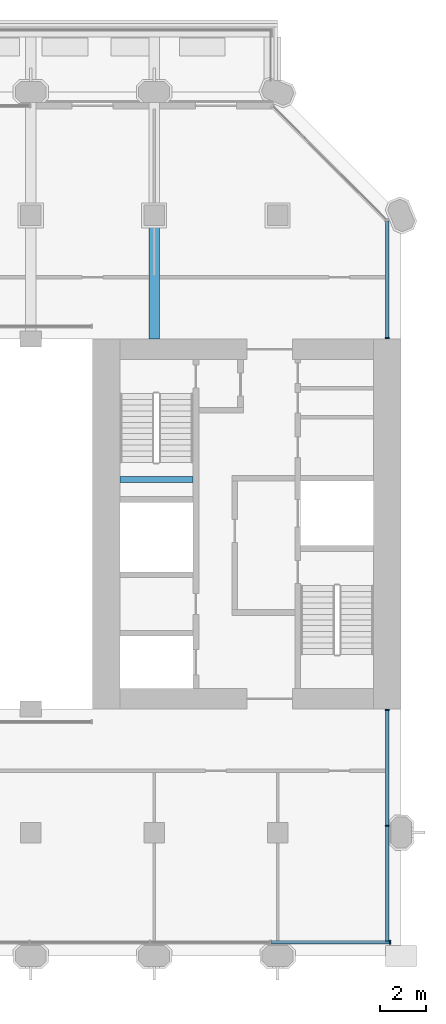
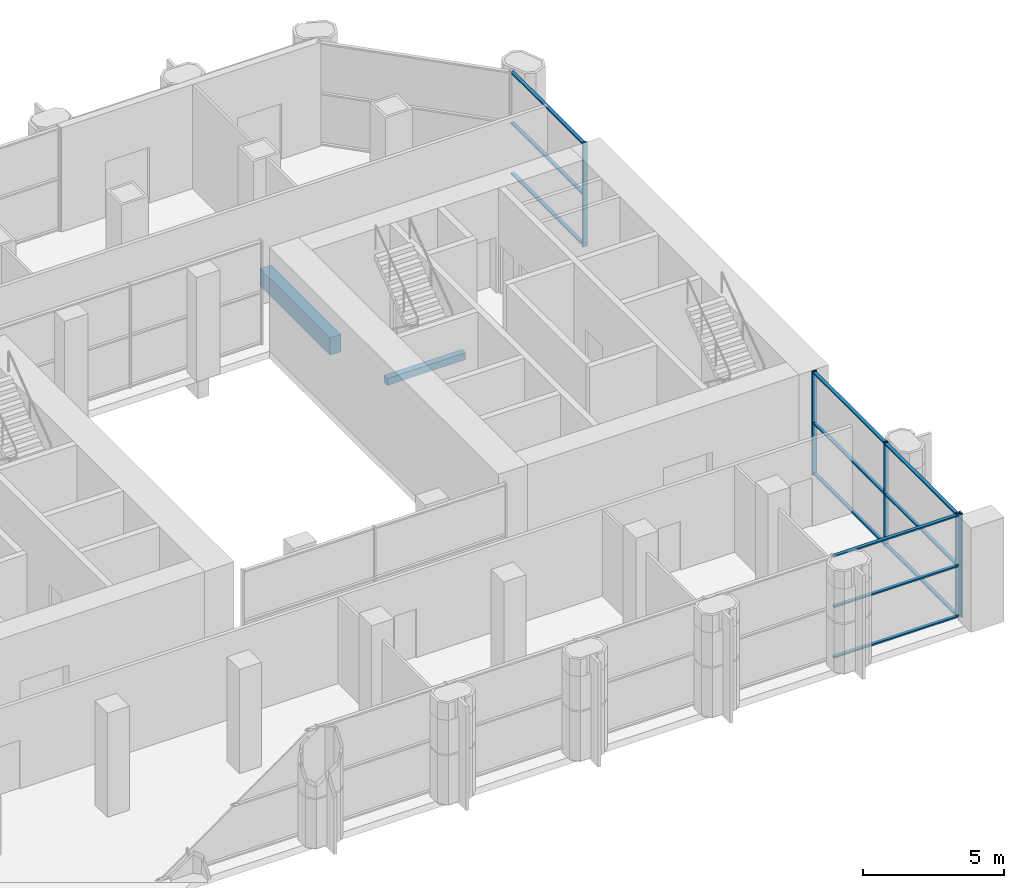
# One storey, part 6 of 15: 17 members, 2 beams, 3 elements without a shape of their own.
"""IFC4 building model written with IfcOpenShell, lengths in metres."""

from ifc_helpers import new_model, si_unit, direction, frame, origin, origin_2d, place, context, subcontext, project, spatial, rectangle, extrude, material, material_profile, profile_set, type_object, element, aggregate, save


model = new_model("IFC4")

# Units and contexts
model_context = context("Model", 3, precision=1e-05, world=origin(), true_north=direction((0.0, 1.0)))
body_context = subcontext(model_context, "Body", "Model", "MODEL_VIEW")
ifc_project = project(units=[si_unit("LENGTHUNIT", "METRE"), si_unit("AREAUNIT", "SQUARE_METRE"), si_unit("VOLUMEUNIT", "CUBIC_METRE"), si_unit("PLANEANGLEUNIT", "RADIAN"), si_unit("MASSUNIT", "GRAM", prefix="KILO")], contexts=[model_context])

# Site, building, storey
site_placement = place(None, origin())
site = spatial("IfcSite", under=ifc_project, at=site_placement, CompositionType="ELEMENT")
building_placement = place(site_placement, origin())
building = spatial("IfcBuilding", under=site, at=building_placement, Name="Tabaq Tower and Sports Hall", CompositionType="ELEMENT")
storey_placement = place(building_placement, frame((0.0, 0.0, 148.0)))
storey = spatial("IfcBuildingStorey", under=building, at=storey_placement, Name="L34", CompositionType="ELEMENT", Elevation=148.0)

# Curtain wall, member
ifc_material_1 = material(Name="Aluminium alloy 6063-T6 framed glazing", Category="aluminium")
curtain_wall_type = type_object("IfcCurtainWallType", Name="CW3 curtain wall", PredefinedType="USERDEFINED", material=ifc_material_1)
curtain_wall_1_placement = place(storey_placement, origin())
curtain_wall_1 = element("IfcCurtainWall", 1, at=curtain_wall_1_placement, inside=storey, type_object=curtain_wall_type, Name="Garden Floor Wall L34 S", ObjectType="GARDEN FLOOR WALL", PredefinedType="USERDEFINED")
ifc_material_2 = material(Name="Aluminium alloy 6063-T6", Category="aluminium")
ifc_material_profile_1 = material_profile(ifc_material_2, rectangle(XDim=0.179931640625, YDim=0.06005859375, at=origin_2d()), Name="MULLION 180x60")
ifc_profile_set_1 = profile_set([ifc_material_profile_1], Name="Aluminium alloy 6063-T6")
member_type_1 = type_object("IfcMemberType", Name="CW3 mullion 180x60", PredefinedType="MULLION", material=ifc_profile_set_1)
member_1_placement = place(storey_placement, frame((42.719970703125, 6.0, 0.0), z_axis=(0.0, 0.0, 1.0), x_axis=(0.0, 1.0, 0.0)))
member_1 = element("IfcMember", 2, at=member_1_placement, type_object=member_type_1, Name="CW3 mullion 9", PredefinedType="MULLION", context=body_context, shape_type="SweptSolid", body=[
    extrude(rectangle(XDim=0.179931640625, YDim=0.06005859375, at=origin_2d()), origin(), (0.0, 0.0, 1.0), 4.5),
])

# Curtain wall, members
curtain_wall_2_placement = place(storey_placement, origin())
curtain_wall_2 = element("IfcCurtainWall", 3, at=curtain_wall_2_placement, inside=storey, type_object=curtain_wall_type, Name="Garden Floor Wall L34 E", ObjectType="GARDEN FLOOR WALL", PredefinedType="USERDEFINED")
member_2_placement = place(storey_placement, frame((42.60009765625, 6.030029296875, 0.0), z_axis=(0.0, 0.0, 1.0), x_axis=(-1.0, 0.0, 0.0)))
member_2 = element("IfcMember", 4, at=member_2_placement, type_object=member_type_1, Name="CW3 mullion 1", PredefinedType="MULLION", context=body_context, shape_type="SweptSolid", body=[
    extrude(rectangle(XDim=0.179931640625, YDim=0.06005859375, at=origin_2d()), origin(), (0.0, 0.0, 1.0), 4.5),
])
member_3_placement = place(storey_placement, frame((42.60009765625, 11.10009765625, 0.0), z_axis=(0.0, 0.0, 1.0), x_axis=(-1.0, 0.0, 0.0)))
member_3 = element("IfcMember", 5, at=member_3_placement, type_object=member_type_1, Name="CW3 mullion 2", PredefinedType="MULLION", context=body_context, shape_type="SweptSolid", body=[
    extrude(rectangle(XDim=0.179931640625, YDim=0.06005859375, at=origin_2d()), origin(), (0.0, 0.0, 1.0), 4.5),
])
member_4_placement = place(storey_placement, frame((42.60009765625, 16.169921875, 0.0), z_axis=(0.0, 0.0, 1.0), x_axis=(-1.0, 0.0, 0.0)))
member_4 = element("IfcMember", 6, at=member_4_placement, type_object=member_type_1, Name="CW3 mullion 3", PredefinedType="MULLION", context=body_context, shape_type="SweptSolid", body=[
    extrude(rectangle(XDim=0.179931640625, YDim=0.06005859375, at=origin_2d()), origin(), (0.0, 0.0, 1.0), 4.5),
])

# Curtain wall, member
curtain_wall_3_placement = place(storey_placement, origin())
curtain_wall_3 = element("IfcCurtainWall", 7, at=curtain_wall_3_placement, inside=storey, type_object=curtain_wall_type, Name="Garden Floor Wall L34 E", ObjectType="GARDEN FLOOR WALL", PredefinedType="USERDEFINED")
member_5_placement = place(storey_placement, frame((42.60009765625, 32.429931640625, 0.0), z_axis=(0.0, 0.0, 1.0), x_axis=(-1.0, 0.0, 0.0)))
member_5 = element("IfcMember", 8, at=member_5_placement, type_object=member_type_1, Name="CW3 mullion 1", PredefinedType="MULLION", context=body_context, shape_type="SweptSolid", body=[
    extrude(rectangle(XDim=0.179931640625, YDim=0.06005859375, at=origin_2d()), origin(), (0.0, 0.0, 1.0), 4.5),
])

# Member
ifc_material_3 = material(Name="Aluminium alloy 6063-T6", Category="aluminium")
ifc_material_profile_2 = material_profile(ifc_material_3, rectangle(XDim=0.139892578125, YDim=0.06005859375, at=origin_2d()), Name="TRANSOM 140x60")
ifc_profile_set_2 = profile_set([ifc_material_profile_2], Name="Aluminium alloy 6063-T6")
member_type_2 = type_object("IfcMemberType", Name="CW3 transom 140x60", PredefinedType="USERDEFINED", material=ifc_profile_set_2)
member_6_placement = place(storey_placement, frame((37.51123046875, 6.0, 0.070068359375), z_axis=(1.0, 0.0, 0.0), x_axis=(0.0, 1.0, 0.0)))
member_6 = element("IfcMember", 9, at=member_6_placement, type_object=member_type_2, Name="CW3 transom 8.1", ObjectType="TRANSOM", PredefinedType="USERDEFINED", context=body_context, shape_type="SweptSolid", body=[
    extrude(rectangle(XDim=0.139892578125, YDim=0.06005859375, at=origin_2d()), origin(), (0.0, 0.0, 1.0), 5.1787109375),
])

member_7_placement = place(storey_placement, frame((37.51123046875, 6.0, 2.25), z_axis=(1.0, 0.0, 0.0), x_axis=(0.0, 1.0, 0.0)))
member_7 = element("IfcMember", 10, at=member_7_placement, type_object=member_type_2, Name="CW3 transom 8.2", ObjectType="TRANSOM", PredefinedType="USERDEFINED", context=body_context, shape_type="SweptSolid", body=[
    extrude(rectangle(XDim=0.139892578125, YDim=0.06005859375, at=origin_2d()), origin(), (0.0, 0.0, 1.0), 5.1787109375),
])

member_8_placement = place(storey_placement, frame((37.51123046875, 6.0, 4.429931640625), z_axis=(1.0, 0.0, 0.0), x_axis=(0.0, 1.0, 0.0)))
member_8 = element("IfcMember", 11, at=member_8_placement, type_object=member_type_2, Name="CW3 transom 8.3", ObjectType="TRANSOM", PredefinedType="USERDEFINED", context=body_context, shape_type="SweptSolid", body=[
    extrude(rectangle(XDim=0.139892578125, YDim=0.06005859375, at=origin_2d()), origin(), (0.0, 0.0, 1.0), 5.1787109375),
])

aggregate(curtain_wall_1, [member_1, member_6, member_7, member_8])

member_9_placement = place(storey_placement, frame((42.60009765625, 6.06005859375, 0.070068359375), z_axis=(0.0, 1.0, 0.0), x_axis=(-1.0, 0.0, 0.0)))
member_9 = element("IfcMember", 12, at=member_9_placement, type_object=member_type_2, Name="CW3 transom 1.1", ObjectType="TRANSOM", PredefinedType="USERDEFINED", context=body_context, shape_type="SweptSolid", body=[
    extrude(rectangle(XDim=0.139892578125, YDim=0.06005859375, at=origin_2d()), origin(), (0.0, 0.0, 1.0), 5.010009765625),
])

member_10_placement = place(storey_placement, frame((42.60009765625, 6.06005859375, 2.25), z_axis=(0.0, 1.0, 0.0), x_axis=(-1.0, 0.0, 0.0)))
member_10 = element("IfcMember", 13, at=member_10_placement, type_object=member_type_2, Name="CW3 transom 1.2", ObjectType="TRANSOM", PredefinedType="USERDEFINED", context=body_context, shape_type="SweptSolid", body=[
    extrude(rectangle(XDim=0.139892578125, YDim=0.06005859375, at=origin_2d()), origin(), (0.0, 0.0, 1.0), 5.010009765625),
])

member_11_placement = place(storey_placement, frame((42.60009765625, 6.06005859375, 4.429931640625), z_axis=(0.0, 1.0, 0.0), x_axis=(-1.0, 0.0, 0.0)))
member_11 = element("IfcMember", 14, at=member_11_placement, type_object=member_type_2, Name="CW3 transom 1.3", ObjectType="TRANSOM", PredefinedType="USERDEFINED", context=body_context, shape_type="SweptSolid", body=[
    extrude(rectangle(XDim=0.139892578125, YDim=0.06005859375, at=origin_2d()), origin(), (0.0, 0.0, 1.0), 5.010009765625),
])

member_12_placement = place(storey_placement, frame((42.60009765625, 11.1298828125, 0.070068359375), z_axis=(0.0, 1.0, 0.0), x_axis=(-1.0, 0.0, 0.0)))
member_12 = element("IfcMember", 15, at=member_12_placement, type_object=member_type_2, Name="CW3 transom 2.1", ObjectType="TRANSOM", PredefinedType="USERDEFINED", context=body_context, shape_type="SweptSolid", body=[
    extrude(rectangle(XDim=0.139892578125, YDim=0.06005859375, at=origin_2d()), origin(), (0.0, 0.0, 1.0), 5.010009765625),
])

member_13_placement = place(storey_placement, frame((42.60009765625, 11.1298828125, 2.25), z_axis=(0.0, 1.0, 0.0), x_axis=(-1.0, 0.0, 0.0)))
member_13 = element("IfcMember", 16, at=member_13_placement, type_object=member_type_2, Name="CW3 transom 2.2", ObjectType="TRANSOM", PredefinedType="USERDEFINED", context=body_context, shape_type="SweptSolid", body=[
    extrude(rectangle(XDim=0.139892578125, YDim=0.06005859375, at=origin_2d()), origin(), (0.0, 0.0, 1.0), 5.010009765625),
])

member_14_placement = place(storey_placement, frame((42.60009765625, 11.1298828125, 4.429931640625), z_axis=(0.0, 1.0, 0.0), x_axis=(-1.0, 0.0, 0.0)))
member_14 = element("IfcMember", 17, at=member_14_placement, type_object=member_type_2, Name="CW3 transom 2.3", ObjectType="TRANSOM", PredefinedType="USERDEFINED", context=body_context, shape_type="SweptSolid", body=[
    extrude(rectangle(XDim=0.139892578125, YDim=0.06005859375, at=origin_2d()), origin(), (0.0, 0.0, 1.0), 5.010009765625),
])

aggregate(curtain_wall_2, [member_2, member_3, member_4, member_9, member_10, member_11, member_12, member_13, member_14])

member_15_placement = place(storey_placement, frame((42.60009765625, 32.4599609375, 0.070068359375), z_axis=(0.0, 1.0, 0.0), x_axis=(-1.0, 0.0, 0.0)))
member_15 = element("IfcMember", 18, at=member_15_placement, type_object=member_type_2, Name="CW3 transom 1.1", ObjectType="TRANSOM", PredefinedType="USERDEFINED", context=body_context, shape_type="SweptSolid", body=[
    extrude(rectangle(XDim=0.139892578125, YDim=0.06005859375, at=origin_2d()), origin(), (0.0, 0.0, 1.0), 5.09375),
])

member_16_placement = place(storey_placement, frame((42.60009765625, 32.4599609375, 2.25), z_axis=(0.0, 1.0, 0.0), x_axis=(-1.0, 0.0, 0.0)))
member_16 = element("IfcMember", 19, at=member_16_placement, type_object=member_type_2, Name="CW3 transom 1.2", ObjectType="TRANSOM", PredefinedType="USERDEFINED", context=body_context, shape_type="SweptSolid", body=[
    extrude(rectangle(XDim=0.139892578125, YDim=0.06005859375, at=origin_2d()), origin(), (0.0, 0.0, 1.0), 5.09375),
])

member_17_placement = place(storey_placement, frame((42.60009765625, 32.4599609375, 4.429931640625), z_axis=(0.0, 1.0, 0.0), x_axis=(-1.0, 0.0, 0.0)))
member_17 = element("IfcMember", 20, at=member_17_placement, type_object=member_type_2, Name="CW3 transom 1.3", ObjectType="TRANSOM", PredefinedType="USERDEFINED", context=body_context, shape_type="SweptSolid", body=[
    extrude(rectangle(XDim=0.139892578125, YDim=0.06005859375, at=origin_2d()), origin(), (0.0, 0.0, 1.0), 5.09375),
])

aggregate(curtain_wall_3, [member_5, member_15, member_16, member_17])

# Beams
ifc_material_4 = material(Name="Concrete C40/50", Category="concrete")
ifc_material_profile_3 = material_profile(ifc_material_4, rectangle(XDim=0.449951171875, YDim=0.75, at=origin_2d()), Name="CB 450x750")
ifc_profile_set_3 = profile_set([ifc_material_profile_3], Name="Concrete C40/50")
beam_type_1 = type_object("IfcBeamType", Name="PT CANTILEVER BEAM CB 450x750 C40/50", PredefinedType="BEAM", material=ifc_profile_set_3)
beam_1_placement = place(storey_placement, frame((32.39990234375, 37.35009765625, -0.675048828125), z_axis=(0.0, -1.0, 0.0), x_axis=(1.0, 0.0, 0.0)))
element("IfcBeam", 21, at=beam_1_placement, inside=storey, type_object=beam_type_1, Name="Tray Cantilever Beam L34 T1 span 3", PredefinedType="BEAM", context=body_context, shape_type="SweptSolid", body=[
    extrude(rectangle(XDim=0.449951171875, YDim=0.75, at=origin_2d()), origin(), (0.0, 0.0, 1.0), 4.9501953125),
])
ifc_material_5 = material(Name="Concrete C40/50", Category="concrete")
ifc_material_profile_4 = material_profile(ifc_material_5, rectangle(XDim=0.25, YDim=0.300048828125, at=origin_2d()), Name="RC 250x300")
ifc_profile_set_4 = profile_set([ifc_material_profile_4], Name="Concrete C40/50")
beam_type_2 = type_object("IfcBeamType", Name="Stair landing beam 250x300", PredefinedType="BEAM", material=ifc_profile_set_4)
beam_2_placement = place(storey_placement, frame((30.89990234375, 26.25, 2.050048828125), z_axis=(1.0, 0.0, 0.0), x_axis=(0.0, 1.0, 0.0)))
element("IfcBeam", 22, at=beam_2_placement, inside=storey, type_object=beam_type_2, Name="L34 ST4 landing beam 1", PredefinedType="BEAM", context=body_context, shape_type="SweptSolid", body=[
    extrude(rectangle(XDim=0.25, YDim=0.300048828125, at=origin_2d()), origin(), (0.0, 0.0, 1.0), 3.2001953125),
])

save(model, "model.ifc")
